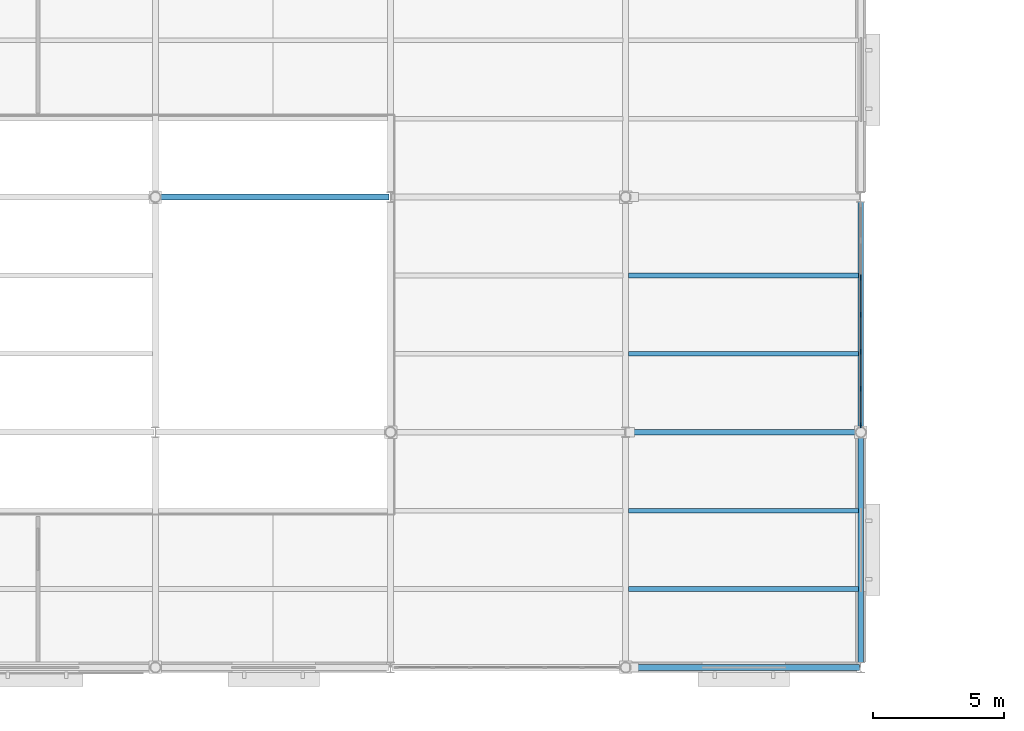
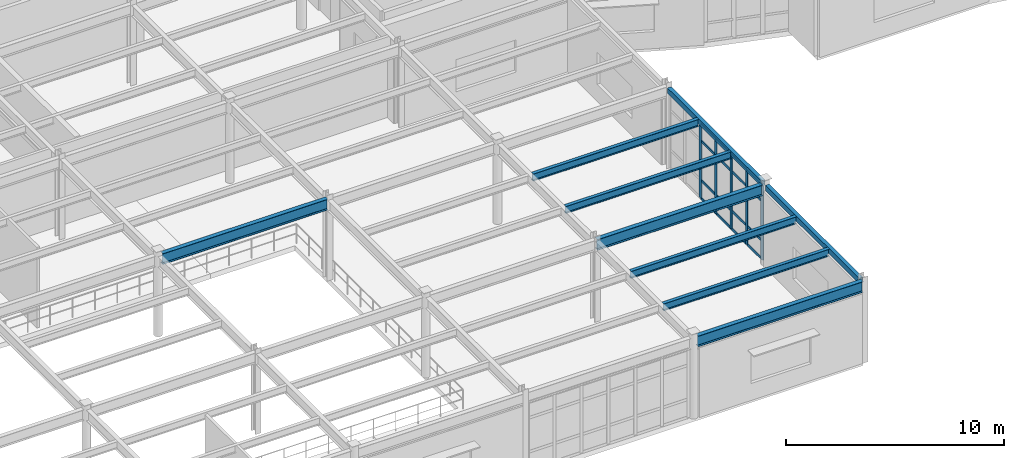
# One storey, part 28 of 86: 21 members, 9 beams, 1 element without a shape of its own.
"""IFC4 building model written with IfcOpenShell, lengths in metres."""

from ifc_helpers import new_model, si_unit, direction, frame, origin, origin_2d, place, context, subcontext, project, spatial, rectangle, hollow_rectangle, i_section, extrude, material, material_profile, profile_set, type_object, element, aggregate, save


model = new_model("IFC4")

# Units and contexts
model_context = context("Model", 3, precision=1e-05, world=origin(), true_north=direction((0.0, 1.0)))
body_context = subcontext(model_context, "Body", "Model", "MODEL_VIEW")
ifc_project = project(units=[si_unit("LENGTHUNIT", "METRE"), si_unit("AREAUNIT", "SQUARE_METRE"), si_unit("VOLUMEUNIT", "CUBIC_METRE"), si_unit("PLANEANGLEUNIT", "RADIAN"), si_unit("MASSUNIT", "GRAM", prefix="KILO")], contexts=[model_context])

# Site, building, storey
site_placement = place(None, origin())
site = spatial("IfcSite", under=ifc_project, at=site_placement, CompositionType="ELEMENT")
building_placement = place(site_placement, origin())
building = spatial("IfcBuilding", under=site, at=building_placement, Name="Glasvene Arena", CompositionType="ELEMENT")
storey_placement = place(building_placement, frame((0.0, 0.0, 5.39990234375)))
storey = spatial("IfcBuildingStorey", under=building, at=storey_placement, Name="L01", CompositionType="ELEMENT", Elevation=5.39990234375)

# Beams
ifc_material_1 = material(Name="Steel S355J2", Category="steel")
ifc_material_profile_1 = material_profile(ifc_material_1, i_section(OverallWidth=0.228271484375, OverallDepth=0.607666015625, WebThickness=0.010986328125, FlangeThickness=0.017333984375, FilletRadius=0.0126953125, at=origin_2d()), Name="UKB 610x229x113")
ifc_profile_set_1 = profile_set([ifc_material_profile_1], Name="Steel S355J2")
beam_type_1 = type_object("IfcBeamType", Name="BM-GIRD-610", PredefinedType="BEAM", material=ifc_profile_set_1)
for number, where, z_axis, x_axis, name in (
    (1, (45.1982421875, 0.0, 4.21630859375), (1.0, 0.0, 0.0), (0.0, 1.0, 0.0), "Primary X girder L01-0527"),
    (2, (45.050048828125, 9.0, 4.21630859375), (1.0, 0.0, 0.0), (0.0, 1.0, 0.0), "Primary X girder L01-0533"),
    (3, (27.1982421875, 18.0, 4.21630859375), (1.0, 0.0, 0.0), (0.0, 1.0, 0.0), "Primary X girder L01-0537"),
):
    element("IfcBeam", number, at=place(storey_placement, frame(where, z_axis=z_axis, x_axis=x_axis)), inside=storey, type_object=beam_type_1, Name=name, PredefinedType="BEAM", context=body_context, shape_type="SweptSolid", body=[
        extrude(i_section(OverallWidth=0.228271484375, OverallDepth=0.607666015625, WebThickness=0.010986328125, FlangeThickness=0.017333984375, FilletRadius=0.0126953125, at=origin_2d()), origin(), (0.0, 0.0, 1.0), 8.751708984375),
    ])
ifc_material_profile_2 = material_profile(ifc_material_1, i_section(OverallWidth=0.177978515625, OverallDepth=0.406494140625, WebThickness=0.0078125, FlangeThickness=0.0126953125, FilletRadius=0.01025390625, at=origin_2d()), Name="UKB 406x178x60")
ifc_profile_set_2 = profile_set([ifc_material_profile_2], Name="Steel S355J2")
beam_type_2 = type_object("IfcBeamType", Name="BM-JOIST-406", PredefinedType="JOIST", material=ifc_profile_set_2)
for number, where, z_axis, x_axis, name in (
    (4, (45.110107421875, 3.0, 4.31689453125), (1.0, 0.0, 0.0), (0.0, 1.0, 0.0), "Composite floor joist L01-0733"),
    (5, (45.110107421875, 6.0, 4.31689453125), (1.0, 0.0, 0.0), (0.0, 1.0, 0.0), "Composite floor joist L01-0734"),
    (6, (45.110107421875, 12.0, 4.31689453125), (1.0, 0.0, 0.0), (0.0, 1.0, 0.0), "Composite floor joist L01-0735"),
    (7, (45.110107421875, 15.0, 4.31689453125), (1.0, 0.0, 0.0), (0.0, 1.0, 0.0), "Composite floor joist L01-0736"),
):
    element("IfcBeam", number, at=place(storey_placement, frame(where, z_axis=z_axis, x_axis=x_axis)), inside=storey, type_object=beam_type_2, Name=name, PredefinedType="JOIST", context=body_context, shape_type="SweptSolid", body=[
        extrude(i_section(OverallWidth=0.177978515625, OverallDepth=0.406494140625, WebThickness=0.0078125, FlangeThickness=0.0126953125, FilletRadius=0.01025390625, at=origin_2d()), origin(), (0.0, 0.0, 1.0), 8.7939453125),
    ])
ifc_material_profile_3 = material_profile(ifc_material_1, hollow_rectangle(XDim=0.199951171875, YDim=0.300048828125, WallThickness=0.012451171875, at=origin_2d()), Name="RHS 300x200x12.5")
ifc_profile_set_3 = profile_set([ifc_material_profile_3], Name="Steel S355J2")
beam_type_3 = type_object("IfcBeamType", Name="BM-SPAND-300", PredefinedType="SPANDREL", material=ifc_profile_set_3)
for number, where, z_axis, x_axis, name in (
    (8, (54.0, 0.195068359375, 4.3701171875), (0.0, 1.0, 0.0), (-1.0, 0.0, 0.0), "Primary Y girder L01-0646"),
    (9, (54.0, 9.1982421875, 4.3701171875), (0.0, 1.0, 0.0), (-1.0, 0.0, 0.0), "Primary Y girder L01-0647"),
):
    element("IfcBeam", number, at=place(storey_placement, frame(where, z_axis=z_axis, x_axis=x_axis)), inside=storey, type_object=beam_type_3, Name=name, PredefinedType="SPANDREL", context=body_context, shape_type="SweptSolid", body=[
        extrude(hollow_rectangle(XDim=0.199951171875, YDim=0.300048828125, WallThickness=0.012451171875, at=origin_2d()), origin(), (0.0, 0.0, 1.0), 8.606689453125),
    ])

# Curtain wall, members
ifc_material_2 = material(Name="Low-emissivity laminated double glazing", Category="glass")
curtain_wall_type = type_object("IfcCurtainWallType", Name="CW-FAC-L01-851x416", PredefinedType="USERDEFINED", material=ifc_material_2)
curtain_wall_placement = place(storey_placement, frame((54.0, 17.758056640625, 0.0)))
curtain_wall = element("IfcCurtainWall", 10, at=curtain_wall_placement, inside=storey, type_object=curtain_wall_type, Name="Unitised curtain wall CW-F-L01-180-540-135-55", ObjectType="CURTAIN WALL", PredefinedType="USERDEFINED")
ifc_material_3 = material(Name="Anodised architectural aluminium", Category="aluminium")
ifc_material_profile_4 = material_profile(ifc_material_3, rectangle(XDim=0.050048828125, YDim=0.199951171875, at=origin_2d()), Name="ALU MULLION 50x200")
ifc_profile_set_4 = profile_set([ifc_material_profile_4], Name="Anodised architectural aluminium")
member_type_1 = type_object("IfcMemberType", Name="CW-MUL-180", PredefinedType="MULLION", material=ifc_profile_set_4)
member_1_placement = place(storey_placement, frame((54.0, 14.92041015625, 0.06005859375), z_axis=(0.0, 0.0, 1.0), x_axis=(1.0, 0.0, 0.0)))
member_1 = element("IfcMember", 11, at=member_1_placement, type_object=member_type_1, Name="CW-016 mullion 3", PredefinedType="MULLION", context=body_context, shape_type="SweptSolid", body=[
    extrude(rectangle(XDim=0.050048828125, YDim=0.199951171875, at=origin_2d()), origin(), (0.0, 0.0, 1.0), 4.155029296875),
])
member_2_placement = place(storey_placement, frame((54.0, 13.501708984375, 0.06005859375), z_axis=(0.0, 0.0, 1.0), x_axis=(1.0, 0.0, 0.0)))
member_2 = element("IfcMember", 12, at=member_2_placement, type_object=member_type_1, Name="CW-016 mullion 4", PredefinedType="MULLION", context=body_context, shape_type="SweptSolid", body=[
    extrude(rectangle(XDim=0.050048828125, YDim=0.199951171875, at=origin_2d()), origin(), (0.0, 0.0, 1.0), 4.155029296875),
])
member_3_placement = place(storey_placement, frame((54.0, 12.082763671875, 0.06005859375), z_axis=(0.0, 0.0, 1.0), x_axis=(1.0, 0.0, 0.0)))
member_3 = element("IfcMember", 13, at=member_3_placement, type_object=member_type_1, Name="CW-016 mullion 5", PredefinedType="MULLION", context=body_context, shape_type="SweptSolid", body=[
    extrude(rectangle(XDim=0.050048828125, YDim=0.199951171875, at=origin_2d()), origin(), (0.0, 0.0, 1.0), 4.155029296875),
])
member_4_placement = place(storey_placement, frame((54.0, 10.6640625, 0.06005859375), z_axis=(0.0, 0.0, 1.0), x_axis=(1.0, 0.0, 0.0)))
member_4 = element("IfcMember", 14, at=member_4_placement, type_object=member_type_1, Name="CW-016 mullion 6", PredefinedType="MULLION", context=body_context, shape_type="SweptSolid", body=[
    extrude(rectangle(XDim=0.050048828125, YDim=0.199951171875, at=origin_2d()), origin(), (0.0, 0.0, 1.0), 4.155029296875),
])
member_5_placement = place(storey_placement, frame((54.0, 9.270263671875, 0.06005859375), z_axis=(0.0, 0.0, 1.0), x_axis=(1.0, 0.0, 0.0)))
member_5 = element("IfcMember", 15, at=member_5_placement, type_object=member_type_1, Name="CW-016 mullion 7", PredefinedType="MULLION", context=body_context, shape_type="SweptSolid", body=[
    extrude(rectangle(XDim=0.050048828125, YDim=0.199951171875, at=origin_2d()), origin(), (0.0, 0.0, 1.0), 4.155029296875),
])
ifc_material_profile_5 = material_profile(ifc_material_3, rectangle(XDim=0.050048828125, YDim=0.14990234375, at=origin_2d()), Name="ALU TRANSOM 50x150")
ifc_profile_set_5 = profile_set([ifc_material_profile_5], Name="Anodised architectural aluminium")
member_type_2 = type_object("IfcMemberType", Name="CW-TRN-150", PredefinedType="USERDEFINED", material=ifc_profile_set_5)
member_6_placement = place(storey_placement, frame((54.0, 14.8955078125, 0.085205078125), z_axis=(0.0, -1.0, 0.0), x_axis=(1.0, 0.0, 0.0)))
member_6 = element("IfcMember", 16, at=member_6_placement, type_object=member_type_2, Name="CW-016 transom 3.1", ObjectType="TRANSOM", PredefinedType="USERDEFINED", context=body_context, shape_type="SweptSolid", body=[
    extrude(rectangle(XDim=0.050048828125, YDim=0.14990234375, at=origin_2d()), origin(), (0.0, 0.0, 1.0), 1.368896484375),
])
member_7_placement = place(storey_placement, frame((54.0, 14.8955078125, 1.10009765625), z_axis=(0.0, -1.0, 0.0), x_axis=(1.0, 0.0, 0.0)))
member_7 = element("IfcMember", 17, at=member_7_placement, type_object=member_type_2, Name="CW-016 transom 3.2", ObjectType="TRANSOM", PredefinedType="USERDEFINED", context=body_context, shape_type="SweptSolid", body=[
    extrude(rectangle(XDim=0.050048828125, YDim=0.14990234375, at=origin_2d()), origin(), (0.0, 0.0, 1.0), 1.368896484375),
])
member_8_placement = place(storey_placement, frame((54.0, 14.8955078125, 3.315185546875), z_axis=(0.0, -1.0, 0.0), x_axis=(1.0, 0.0, 0.0)))
member_8 = element("IfcMember", 18, at=member_8_placement, type_object=member_type_2, Name="CW-016 transom 3.3", ObjectType="TRANSOM", PredefinedType="USERDEFINED", context=body_context, shape_type="SweptSolid", body=[
    extrude(rectangle(XDim=0.050048828125, YDim=0.14990234375, at=origin_2d()), origin(), (0.0, 0.0, 1.0), 1.368896484375),
])
member_9_placement = place(storey_placement, frame((54.0, 14.8955078125, 4.190185546875), z_axis=(0.0, -1.0, 0.0), x_axis=(1.0, 0.0, 0.0)))
member_9 = element("IfcMember", 19, at=member_9_placement, type_object=member_type_2, Name="CW-016 transom 3.4", ObjectType="TRANSOM", PredefinedType="USERDEFINED", context=body_context, shape_type="SweptSolid", body=[
    extrude(rectangle(XDim=0.050048828125, YDim=0.14990234375, at=origin_2d()), origin(), (0.0, 0.0, 1.0), 1.368896484375),
])
member_10_placement = place(storey_placement, frame((54.0, 13.4765625, 0.085205078125), z_axis=(0.0, -1.0, 0.0), x_axis=(1.0, 0.0, 0.0)))
member_10 = element("IfcMember", 20, at=member_10_placement, type_object=member_type_2, Name="CW-016 transom 4.1", ObjectType="TRANSOM", PredefinedType="USERDEFINED", context=body_context, shape_type="SweptSolid", body=[
    extrude(rectangle(XDim=0.050048828125, YDim=0.14990234375, at=origin_2d()), origin(), (0.0, 0.0, 1.0), 1.36865234375),
])
member_11_placement = place(storey_placement, frame((54.0, 13.4765625, 1.10009765625), z_axis=(0.0, -1.0, 0.0), x_axis=(1.0, 0.0, 0.0)))
member_11 = element("IfcMember", 21, at=member_11_placement, type_object=member_type_2, Name="CW-016 transom 4.2", ObjectType="TRANSOM", PredefinedType="USERDEFINED", context=body_context, shape_type="SweptSolid", body=[
    extrude(rectangle(XDim=0.050048828125, YDim=0.14990234375, at=origin_2d()), origin(), (0.0, 0.0, 1.0), 1.36865234375),
])
member_12_placement = place(storey_placement, frame((54.0, 13.4765625, 3.315185546875), z_axis=(0.0, -1.0, 0.0), x_axis=(1.0, 0.0, 0.0)))
member_12 = element("IfcMember", 22, at=member_12_placement, type_object=member_type_2, Name="CW-016 transom 4.3", ObjectType="TRANSOM", PredefinedType="USERDEFINED", context=body_context, shape_type="SweptSolid", body=[
    extrude(rectangle(XDim=0.050048828125, YDim=0.14990234375, at=origin_2d()), origin(), (0.0, 0.0, 1.0), 1.36865234375),
])
member_13_placement = place(storey_placement, frame((54.0, 13.4765625, 4.190185546875), z_axis=(0.0, -1.0, 0.0), x_axis=(1.0, 0.0, 0.0)))
member_13 = element("IfcMember", 23, at=member_13_placement, type_object=member_type_2, Name="CW-016 transom 4.4", ObjectType="TRANSOM", PredefinedType="USERDEFINED", context=body_context, shape_type="SweptSolid", body=[
    extrude(rectangle(XDim=0.050048828125, YDim=0.14990234375, at=origin_2d()), origin(), (0.0, 0.0, 1.0), 1.36865234375),
])
member_14_placement = place(storey_placement, frame((54.0, 12.057861328125, 0.085205078125), z_axis=(0.0, -1.0, 0.0), x_axis=(1.0, 0.0, 0.0)))
member_14 = element("IfcMember", 24, at=member_14_placement, type_object=member_type_2, Name="CW-016 transom 5.1", ObjectType="TRANSOM", PredefinedType="USERDEFINED", context=body_context, shape_type="SweptSolid", body=[
    extrude(rectangle(XDim=0.050048828125, YDim=0.14990234375, at=origin_2d()), origin(), (0.0, 0.0, 1.0), 1.368896484375),
])
member_15_placement = place(storey_placement, frame((54.0, 12.057861328125, 1.10009765625), z_axis=(0.0, -1.0, 0.0), x_axis=(1.0, 0.0, 0.0)))
member_15 = element("IfcMember", 25, at=member_15_placement, type_object=member_type_2, Name="CW-016 transom 5.2", ObjectType="TRANSOM", PredefinedType="USERDEFINED", context=body_context, shape_type="SweptSolid", body=[
    extrude(rectangle(XDim=0.050048828125, YDim=0.14990234375, at=origin_2d()), origin(), (0.0, 0.0, 1.0), 1.368896484375),
])
member_16_placement = place(storey_placement, frame((54.0, 12.057861328125, 3.315185546875), z_axis=(0.0, -1.0, 0.0), x_axis=(1.0, 0.0, 0.0)))
member_16 = element("IfcMember", 26, at=member_16_placement, type_object=member_type_2, Name="CW-016 transom 5.3", ObjectType="TRANSOM", PredefinedType="USERDEFINED", context=body_context, shape_type="SweptSolid", body=[
    extrude(rectangle(XDim=0.050048828125, YDim=0.14990234375, at=origin_2d()), origin(), (0.0, 0.0, 1.0), 1.368896484375),
])
member_17_placement = place(storey_placement, frame((54.0, 12.057861328125, 4.190185546875), z_axis=(0.0, -1.0, 0.0), x_axis=(1.0, 0.0, 0.0)))
member_17 = element("IfcMember", 27, at=member_17_placement, type_object=member_type_2, Name="CW-016 transom 5.4", ObjectType="TRANSOM", PredefinedType="USERDEFINED", context=body_context, shape_type="SweptSolid", body=[
    extrude(rectangle(XDim=0.050048828125, YDim=0.14990234375, at=origin_2d()), origin(), (0.0, 0.0, 1.0), 1.368896484375),
])
member_18_placement = place(storey_placement, frame((54.0, 10.638916015625, 0.085205078125), z_axis=(0.0, -1.0, 0.0), x_axis=(1.0, 0.0, 0.0)))
member_18 = element("IfcMember", 28, at=member_18_placement, type_object=member_type_2, Name="CW-016 transom 6.1", ObjectType="TRANSOM", PredefinedType="USERDEFINED", context=body_context, shape_type="SweptSolid", body=[
    extrude(rectangle(XDim=0.050048828125, YDim=0.14990234375, at=origin_2d()), origin(), (0.0, 0.0, 1.0), 1.34375),
])
member_19_placement = place(storey_placement, frame((54.0, 10.638916015625, 1.10009765625), z_axis=(0.0, -1.0, 0.0), x_axis=(1.0, 0.0, 0.0)))
member_19 = element("IfcMember", 29, at=member_19_placement, type_object=member_type_2, Name="CW-016 transom 6.2", ObjectType="TRANSOM", PredefinedType="USERDEFINED", context=body_context, shape_type="SweptSolid", body=[
    extrude(rectangle(XDim=0.050048828125, YDim=0.14990234375, at=origin_2d()), origin(), (0.0, 0.0, 1.0), 1.34375),
])
member_20_placement = place(storey_placement, frame((54.0, 10.638916015625, 3.315185546875), z_axis=(0.0, -1.0, 0.0), x_axis=(1.0, 0.0, 0.0)))
member_20 = element("IfcMember", 30, at=member_20_placement, type_object=member_type_2, Name="CW-016 transom 6.3", ObjectType="TRANSOM", PredefinedType="USERDEFINED", context=body_context, shape_type="SweptSolid", body=[
    extrude(rectangle(XDim=0.050048828125, YDim=0.14990234375, at=origin_2d()), origin(), (0.0, 0.0, 1.0), 1.34375),
])
member_21_placement = place(storey_placement, frame((54.0, 10.638916015625, 4.190185546875), z_axis=(0.0, -1.0, 0.0), x_axis=(1.0, 0.0, 0.0)))
member_21 = element("IfcMember", 31, at=member_21_placement, type_object=member_type_2, Name="CW-016 transom 6.4", ObjectType="TRANSOM", PredefinedType="USERDEFINED", context=body_context, shape_type="SweptSolid", body=[
    extrude(rectangle(XDim=0.050048828125, YDim=0.14990234375, at=origin_2d()), origin(), (0.0, 0.0, 1.0), 1.34375),
])
aggregate(curtain_wall, [member_1, member_2, member_3, member_4, member_5, member_6, member_7, member_8, member_9, member_10, member_11, member_12, member_13, member_14, member_15, member_16, member_17, member_18, member_19, member_20, member_21])

save(model, "model.ifc")
